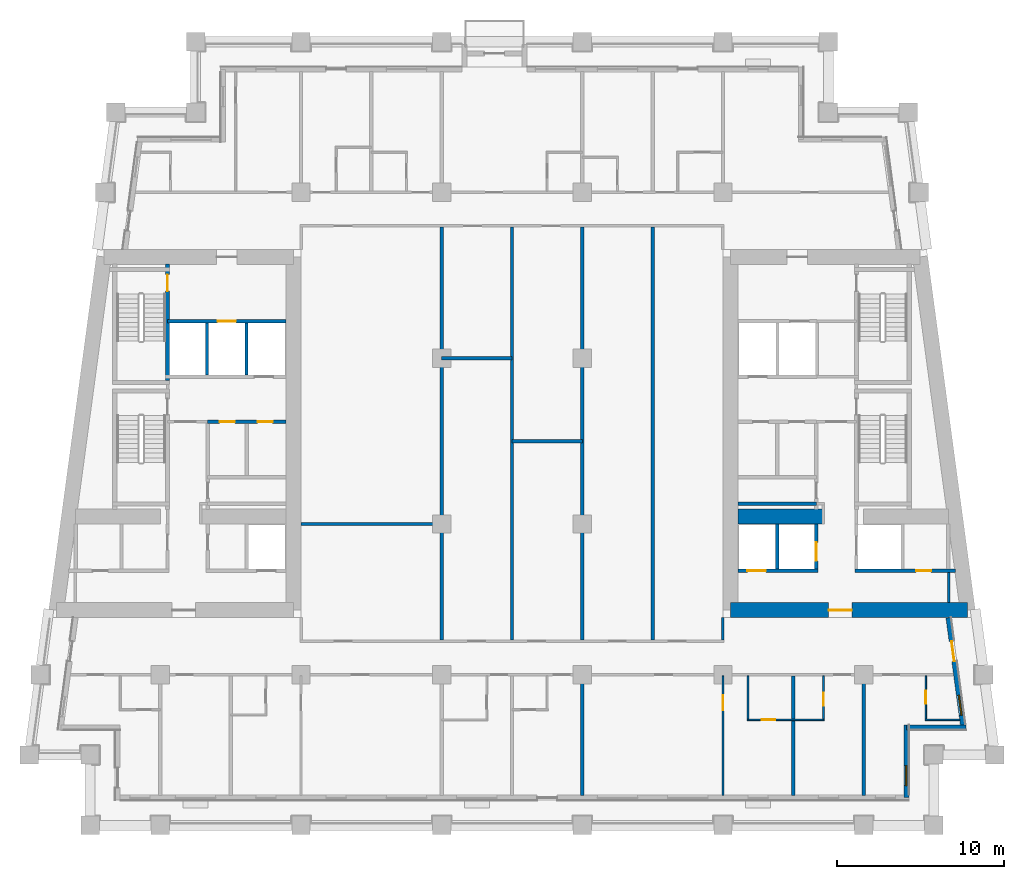
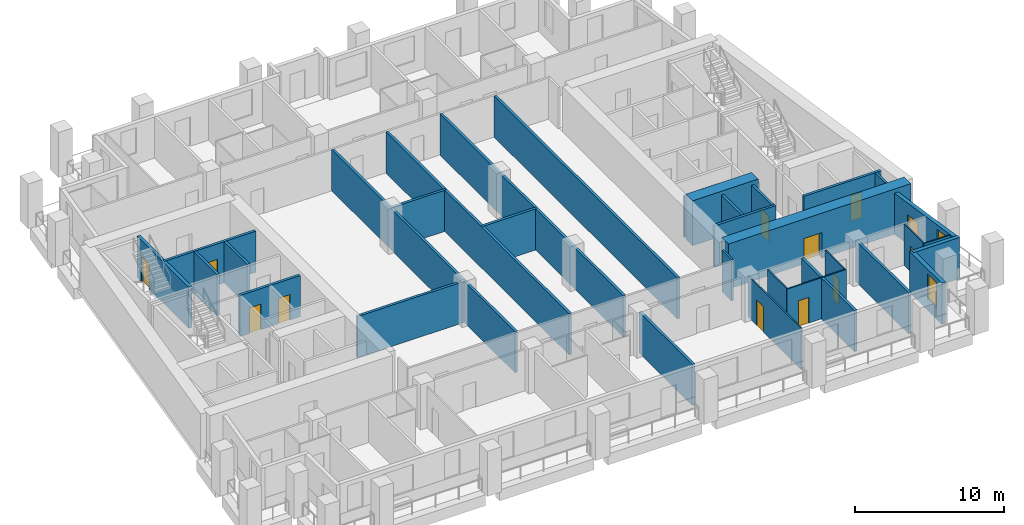
# One storey, part 4 of 12: 33 walls, 13 doors, 2 windows, 15 openings.
"""IFC4 building model written with IfcOpenShell, lengths in metres."""

from ifc_helpers import new_model, si_unit, direction, frame, frame_2d, origin, place, context, subcontext, project, spatial, rectangle, extrude, material, layer, layer_set, type_object, element, fill, save


model = new_model("IFC4")

# Units and contexts
model_context = context("Model", 3, precision=1e-05, world=origin(), true_north=direction((0.0, 1.0)))
body_context = subcontext(model_context, "Body", "Model", "MODEL_VIEW")
ifc_project = project(units=[si_unit("LENGTHUNIT", "METRE"), si_unit("AREAUNIT", "SQUARE_METRE"), si_unit("VOLUMEUNIT", "CUBIC_METRE"), si_unit("PLANEANGLEUNIT", "RADIAN"), si_unit("MASSUNIT", "GRAM", prefix="KILO")], contexts=[model_context])

# Site, building, storey
site_placement = place(None, origin())
site = spatial("IfcSite", under=ifc_project, at=site_placement, CompositionType="ELEMENT")
building_placement = place(site_placement, origin())
building = spatial("IfcBuilding", under=site, at=building_placement, Name="Candeia Pilgrim Tower and Theatre", CompositionType="ELEMENT")
storey_placement = place(building_placement, frame((0.0, 0.0, 162.60009765625)))
storey = spatial("IfcBuildingStorey", under=building, at=storey_placement, Name="L38", CompositionType="ELEMENT", Elevation=162.60009765625)

# Wall, opening, door
ifc_material_1 = material(Name="Concrete C60/75", Category="concrete")
ifc_layer_1 = layer(ifc_material_1, 0.89990234375)
ifc_layer_set_1 = layer_set([ifc_layer_1], Name="Core wall 900 C60/75")
wall_type_1 = type_object("IfcWallType", Name="Core wall 900 C60/75", PredefinedType="SHEAR", material=ifc_layer_set_1)
wall_1_placement = place(storey_placement, frame((140.6162109375, 110.85009765625, 0.0), z_axis=(0.0, 0.0, 1.0), x_axis=(-1.0, 0.0, 0.0)))
wall_1 = element("IfcWall", 1, at=wall_1_placement, inside=storey, type_object=wall_type_1, Name="Core wall E3", PredefinedType="SHEAR", context=body_context, shape_type="SweptSolid", body=[
    extrude(rectangle(XDim=14.166259765625, YDim=0.89990234375, at=frame_2d((7.0830078125, 0.0))), origin(), (0.0, 0.0, 1.0), 3.699951171875),
])
opening_1_placement = place(wall_1_placement, frame((6.911376953125, 0.0, 0.0)))
opening_1 = element("IfcOpeningElement", 2, at=opening_1_placement, cuts=wall_1, Name="Opening L38-D058", PredefinedType="OPENING", context=body_context, shape_type="SweptSolid", body=[
    extrude(rectangle(XDim=1.39990234375, YDim=2.10009765625, at=frame_2d((0.699951171875, 1.050048828125))), frame((0.0, 0.4599609375, 0.0), z_axis=(0.0, -1.0, 0.0), x_axis=(1.0, 0.0, 0.0)), (0.0, 0.0, 1.0), 0.919921875),
])
ifc_material_2 = material(Name="Steel fire door set", Category="steel")
door_type_1 = type_object("IfcDoorType", Name="D-1400-FD60", OperationType="NOTDEFINED", PredefinedType="DOOR", material=ifc_material_2)
door_1_placement = place(opening_1_placement, origin())
door_1 = element("IfcDoor", 3, at=door_1_placement, inside=storey, type_object=door_type_1, Name="Door L38-D058", OperationType="SINGLE_SWING_RIGHT", OverallHeight=2.10009765625, OverallWidth=1.39990234375, PredefinedType="DOOR", context=body_context, shape_type="SweptSolid", body=[
    extrude(rectangle(XDim=1.39990234375, YDim=2.10009765625, at=frame_2d((0.699951171875, 1.050048828125))), frame((0.0, 0.02490234375, 0.0), z_axis=(0.0, -1.0, 0.0), x_axis=(1.0, 0.0, 0.0)), (0.0, 0.0, 1.0), 0.050048828125),
])
fill(opening_1, door_1)

# Wall
wall_2_placement = place(storey_placement, frame((126.89990234375, 116.449951171875, 0.0), z_axis=(0.0, 0.0, 1.0), x_axis=(1.0, 0.0, 0.0)))
element("IfcWall", 4, at=wall_2_placement, inside=storey, type_object=wall_type_1, Name="Core wall E5", PredefinedType="SHEAR", context=body_context, shape_type="SweptSolid", body=[
    extrude(rectangle(XDim=5.10009765625, YDim=0.89990234375, at=frame_2d((2.550048828125, 0.0))), origin(), (0.0, 0.0, 1.0), 3.699951171875),
])

# Wall, opening, window
ifc_material_3 = material(Name="Ceramic block masonry", Category="masonry")
ifc_layer_2 = layer(ifc_material_3, 0.300048828125)
ifc_layer_set_2 = layer_set([ifc_layer_2], Name="EW1 glazing-line wall 300")
wall_type_2 = type_object("IfcWallType", Name="EW1 glazing-line wall 300", PredefinedType="SOLIDWALL", material=ifc_layer_set_2)
wall_3_placement = place(storey_placement, frame((136.949951171875, 99.64990234375, 0.0), z_axis=(0.0, 0.0, 1.0), x_axis=(0.0, 1.0, 0.0)))
wall_3 = element("IfcWall", 5, at=wall_3_placement, inside=storey, type_object=wall_type_2, Name="External wall L38-1.0", PredefinedType="SOLIDWALL", context=body_context, shape_type="SweptSolid", body=[
    extrude(rectangle(XDim=4.35009765625, YDim=0.300048828125, at=frame_2d((2.175048828125, 0.0))), origin(), (0.0, 0.0, 1.0), 3.3798828125),
])
opening_2_placement = place(wall_3_placement, frame((0.72509765625, 0.0, 0.89990234375)))
opening_2 = element("IfcOpeningElement", 6, at=opening_2_placement, cuts=wall_3, Name="Opening W-B", PredefinedType="OPENING", context=body_context, shape_type="SweptSolid", body=[
    extrude(rectangle(XDim=1.199951171875, YDim=2.10009765625, at=frame_2d((0.60009765625, 1.050048828125))), frame((0.0, 0.16015625, 0.0), z_axis=(0.0, -1.0, 0.0), x_axis=(1.0, 0.0, 0.0)), (0.0, 0.0, 1.0), 0.320068359375),
])
ifc_material_4 = material(Name="Aluminium framed double glazing", Category="aluminium")
window_type = type_object("IfcWindowType", Name="W-B window 1200x2100", PartitioningType="SINGLE_PANEL", PredefinedType="WINDOW", material=ifc_material_4)
window_1_placement = place(opening_2_placement, origin())
window_1 = element("IfcWindow", 7, at=window_1_placement, inside=storey, type_object=window_type, Name="Window W-B L38", OverallHeight=2.10009765625, OverallWidth=1.199951171875, PartitioningType="SINGLE_PANEL", PredefinedType="WINDOW", context=body_context, shape_type="SweptSolid", body=[
    extrude(rectangle(XDim=1.199951171875, YDim=2.10009765625, at=frame_2d((0.60009765625, 1.050048828125))), frame((0.0, 0.030029296875, 0.0), z_axis=(0.0, -1.0, 0.0), x_axis=(1.0, 0.0, 0.0)), (0.0, 0.0, 1.0), 0.06005859375),
])
fill(opening_2, window_1)

# Wall
wall_4_placement = place(storey_placement, frame((136.949951171875, 103.85009765625, 0.0), z_axis=(0.0, 0.0, 1.0), x_axis=(1.0, 0.0, 0.0)))
element("IfcWall", 8, at=wall_4_placement, inside=storey, type_object=wall_type_2, Name="External wall L38-2.0", PredefinedType="SOLIDWALL", context=body_context, shape_type="SweptSolid", body=[
    extrude(rectangle(XDim=3.569091796875, YDim=0.300048828125, at=frame_2d((1.78466796875, 0.0))), origin(), (0.0, 0.0, 1.0), 3.3798828125),
])

# Wall, openings, door, window
wall_5_placement = place(storey_placement, frame((140.34765625, 103.85009765625, 0.0), z_axis=(0.0, 0.0, 1.0), x_axis=(-0.133431549479, 0.991058031401, 0.0)))
wall_5 = element("IfcWall", 9, at=wall_5_placement, inside=storey, type_object=wall_type_2, Name="External wall L38-3.0", PredefinedType="SOLIDWALL", context=body_context, shape_type="SweptSolid", body=[
    extrude(rectangle(XDim=6.60888671875, YDim=0.300048828125, at=frame_2d((3.304443359375, 0.0))), origin(), (0.0, 0.0, 1.0), 3.3798828125),
])
opening_3_placement = place(wall_5_placement, frame((0.736572265625, 0.0, 0.89990234375)))
opening_3 = element("IfcOpeningElement", 10, at=opening_3_placement, cuts=wall_5, Name="Opening W-B", PredefinedType="OPENING", context=body_context, shape_type="SweptSolid", body=[
    extrude(rectangle(XDim=1.199951171875, YDim=2.10009765625, at=frame_2d((0.60009765625, 1.050048828125))), frame((0.0, 0.16015625, 0.0), z_axis=(0.0, -1.0, 0.0), x_axis=(1.0, 0.0, 0.0)), (0.0, 0.0, 1.0), 0.320068359375),
])
opening_4_placement = place(wall_5_placement, frame((3.990966796875, 0.0, 0.0)))
opening_4 = element("IfcOpeningElement", 11, at=opening_4_placement, cuts=wall_5, Name="Opening L38-ED365", PredefinedType="OPENING", context=body_context, shape_type="SweptSolid", body=[
    extrude(rectangle(XDim=1.199951171875, YDim=2.39990234375, at=frame_2d((0.60009765625, 1.199951171875))), frame((0.0, 0.16015625, 0.0), z_axis=(0.0, -1.0, 0.0), x_axis=(1.0, 0.0, 0.0)), (0.0, 0.0, 1.0), 0.320068359375),
])
ifc_material_5 = material(Name="Aluminium framed glazed door", Category="aluminium")
door_type_2 = type_object("IfcDoorType", Name="Loggia door 1200x2400", OperationType="DOUBLE_DOOR_SINGLE_SWING", PredefinedType="DOOR", material=ifc_material_5)
door_2_placement = place(opening_4_placement, origin())
door_2 = element("IfcDoor", 12, at=door_2_placement, inside=storey, type_object=door_type_2, Name="Loggia door L38-ED365", OperationType="DOUBLE_DOOR_SINGLE_SWING", OverallHeight=2.39990234375, OverallWidth=1.199951171875, PredefinedType="DOOR", context=body_context, shape_type="SweptSolid", body=[
    extrude(rectangle(XDim=1.199951171875, YDim=2.39990234375, at=frame_2d((0.60009765625, 1.199951171875))), frame((0.0, 0.02490234375, 0.0), z_axis=(0.0, -1.0, 0.0), x_axis=(1.0, 0.0, 0.0)), (0.0, 0.0, 1.0), 0.050048828125),
])
fill(opening_4, door_2)
window_2_placement = place(opening_3_placement, origin())
window_2 = element("IfcWindow", 13, at=window_2_placement, inside=storey, type_object=window_type, Name="Window W-B L38", OverallHeight=2.10009765625, OverallWidth=1.199951171875, PartitioningType="SINGLE_PANEL", PredefinedType="WINDOW", context=body_context, shape_type="SweptSolid", body=[
    extrude(rectangle(XDim=1.199951171875, YDim=2.10009765625, at=frame_2d((0.60009765625, 1.050048828125))), frame((0.0, 0.030029296875, 0.0), z_axis=(0.0, -1.0, 0.0), x_axis=(1.0, 0.0, 0.0)), (0.0, 0.0, 1.0), 0.06005859375),
])
fill(opening_3, window_2)

# Wall, opening, door
ifc_material_6 = material(Name="Gypsum board partition on steel studs", Category="steel")
ifc_layer_3 = layer(ifc_material_6, 0.10009765625)
ifc_layer_set_3 = layer_set([ifc_layer_3], Name="PW-100 room partition")
wall_type_3 = type_object("IfcWallType", Name="PW-100 room partition", PredefinedType="PARTITIONING", material=ifc_layer_set_3)
wall_6_placement = place(storey_placement, frame((127.449951171875, 104.300048828125, 0.0), z_axis=(0.0, 0.0, 1.0), x_axis=(1.0, 0.0, 0.0)))
wall_6 = element("IfcWall", 14, at=wall_6_placement, inside=storey, type_object=wall_type_3, Name="Room partition L38-002", PredefinedType="PARTITIONING", context=body_context, shape_type="SweptSolid", body=[
    extrude(rectangle(XDim=4.60009765625, YDim=0.10009765625, at=frame_2d((2.300048828125, 0.0))), origin(), (0.0, 0.0, 1.0), 3.3798828125),
])
opening_5_placement = place(wall_6_placement, frame((0.8798828125, 0.0, 0.0)))
opening_5 = element("IfcOpeningElement", 15, at=opening_5_placement, cuts=wall_6, Name="Opening L38-D029", PredefinedType="OPENING", context=body_context, shape_type="SweptSolid", body=[
    extrude(rectangle(XDim=0.800048828125, YDim=2.10009765625, at=frame_2d((0.39990234375, 1.050048828125))), frame((0.0, 0.06005859375, 0.0), z_axis=(0.0, -1.0, 0.0), x_axis=(1.0, 0.0, 0.0)), (0.0, 0.0, 1.0), 0.1201171875),
])
ifc_material_7 = material(Name="Timber door leaf", Category="wood")
door_type_3 = type_object("IfcDoorType", Name="D-800", OperationType="NOTDEFINED", PredefinedType="DOOR", material=ifc_material_7)
door_3_placement = place(opening_5_placement, origin())
door_3 = element("IfcDoor", 16, at=door_3_placement, inside=storey, type_object=door_type_3, Name="Door L38-D029", OperationType="SINGLE_SWING_LEFT", OverallHeight=2.10009765625, OverallWidth=0.800048828125, PredefinedType="DOOR", context=body_context, shape_type="SweptSolid", body=[
    extrude(rectangle(XDim=0.800048828125, YDim=2.10009765625, at=frame_2d((0.39990234375, 1.050048828125))), frame((0.0, 0.02490234375, 0.0), z_axis=(0.0, -1.0, 0.0), x_axis=(1.0, 0.0, 0.0)), (0.0, 0.0, 1.0), 0.050048828125),
])
fill(opening_5, door_3)

# Wall
wall_7_placement = place(storey_placement, frame((138.070068359375, 104.300048828125, 0.0), z_axis=(0.0, 0.0, 1.0), x_axis=(1.0, 0.0, 0.0)))
element("IfcWall", 17, at=wall_7_placement, inside=storey, type_object=wall_type_3, Name="Room partition L38-003", PredefinedType="PARTITIONING", context=body_context, shape_type="SweptSolid", body=[
    extrude(rectangle(XDim=2.07568359375, YDim=0.10009765625, at=frame_2d((1.037841796875, 0.0))), origin(), (0.0, 0.0, 1.0), 3.3798828125),
])

# Wall, opening, door
wall_8_placement = place(storey_placement, frame((126.0, 99.7900390625, 0.0), z_axis=(0.0, 0.0, 1.0), x_axis=(0.0, 1.0, 0.0)))
wall_8 = element("IfcWall", 18, at=wall_8_placement, inside=storey, type_object=wall_type_3, Name="Room partition L38-093", PredefinedType="PARTITIONING", context=body_context, shape_type="SweptSolid", body=[
    extrude(rectangle(XDim=7.135009765625, YDim=0.10009765625, at=frame_2d((3.5673828125, 0.0))), origin(), (0.0, 0.0, 1.0), 3.3798828125),
])
opening_6_placement = place(wall_8_placement, frame((5.074951171875, 0.0, 0.0)))
opening_6 = element("IfcOpeningElement", 19, at=opening_6_placement, cuts=wall_8, Name="Opening L38-D028", PredefinedType="OPENING", context=body_context, shape_type="SweptSolid", body=[
    extrude(rectangle(XDim=0.89990234375, YDim=2.10009765625, at=frame_2d((0.449951171875, 1.050048828125))), frame((0.0, 0.06005859375, 0.0), z_axis=(0.0, -1.0, 0.0), x_axis=(1.0, 0.0, 0.0)), (0.0, 0.0, 1.0), 0.1201171875),
])
door_type_4 = type_object("IfcDoorType", Name="D-900", OperationType="NOTDEFINED", PredefinedType="DOOR", material=ifc_material_7)
door_4_placement = place(opening_6_placement, origin())
door_4 = element("IfcDoor", 20, at=door_4_placement, inside=storey, type_object=door_type_4, Name="Door L38-D028", OperationType="SINGLE_SWING_RIGHT", OverallHeight=2.10009765625, OverallWidth=0.89990234375, PredefinedType="DOOR", context=body_context, shape_type="SweptSolid", body=[
    extrude(rectangle(XDim=0.89990234375, YDim=2.10009765625, at=frame_2d((0.449951171875, 1.050048828125))), frame((0.0, 0.02490234375, 0.0), z_axis=(0.0, -1.0, 0.0), x_axis=(1.0, 0.0, 0.0)), (0.0, 0.0, 1.0), 0.050048828125),
])
fill(opening_6, door_4)

# Wall
wall_9_placement = place(storey_placement, frame((127.5, 104.35009765625, 0.0), z_axis=(0.0, 0.0, 1.0), x_axis=(0.0, 1.0, 0.0)))
element("IfcWall", 21, at=wall_9_placement, inside=storey, type_object=wall_type_3, Name="Room partition L38-097", PredefinedType="PARTITIONING", context=body_context, shape_type="SweptSolid", body=[
    extrude(rectangle(XDim=2.574951171875, YDim=0.10009765625, at=frame_2d((1.28759765625, 0.0))), origin(), (0.0, 0.0, 1.0), 3.3798828125),
])

# Wall, opening, door
wall_10_placement = place(storey_placement, frame((132.0, 104.35009765625, 0.0), z_axis=(0.0, 0.0, 1.0), x_axis=(0.0, 1.0, 0.0)))
wall_10 = element("IfcWall", 22, at=wall_10_placement, inside=storey, type_object=wall_type_3, Name="Room partition L38-105", PredefinedType="PARTITIONING", context=body_context, shape_type="SweptSolid", body=[
    extrude(rectangle(XDim=2.574951171875, YDim=0.10009765625, at=frame_2d((1.28759765625, 0.0))), origin(), (0.0, 0.0, 1.0), 3.3798828125),
])
opening_7_placement = place(wall_10_placement, frame((0.780029296875, 0.0, 0.0)))
opening_7 = element("IfcOpeningElement", 23, at=opening_7_placement, cuts=wall_10, Name="Opening L38-D031", PredefinedType="OPENING", context=body_context, shape_type="SweptSolid", body=[
    extrude(rectangle(XDim=0.800048828125, YDim=2.10009765625, at=frame_2d((0.39990234375, 1.050048828125))), frame((0.0, 0.06005859375, 0.0), z_axis=(0.0, -1.0, 0.0), x_axis=(1.0, 0.0, 0.0)), (0.0, 0.0, 1.0), 0.1201171875),
])
door_5_placement = place(opening_7_placement, origin())
door_5 = element("IfcDoor", 24, at=door_5_placement, inside=storey, type_object=door_type_3, Name="Door L38-D031", OperationType="SINGLE_SWING_LEFT", OverallHeight=2.10009765625, OverallWidth=0.800048828125, PredefinedType="DOOR", context=body_context, shape_type="SweptSolid", body=[
    extrude(rectangle(XDim=0.800048828125, YDim=2.10009765625, at=frame_2d((0.39990234375, 1.050048828125))), frame((0.0, 0.02490234375, 0.0), z_axis=(0.0, -1.0, 0.0), x_axis=(1.0, 0.0, 0.0)), (0.0, 0.0, 1.0), 0.050048828125),
])
fill(opening_7, door_5)

wall_11_placement = place(storey_placement, frame((138.1201171875, 104.35009765625, 0.0), z_axis=(0.0, 0.0, 1.0), x_axis=(0.0, 1.0, 0.0)))
wall_11 = element("IfcWall", 25, at=wall_11_placement, inside=storey, type_object=wall_type_3, Name="Room partition L38-116", PredefinedType="PARTITIONING", context=body_context, shape_type="SweptSolid", body=[
    extrude(rectangle(XDim=2.574951171875, YDim=0.10009765625, at=frame_2d((1.28759765625, 0.0))), origin(), (0.0, 0.0, 1.0), 3.3798828125),
])
opening_8_placement = place(wall_11_placement, frame((0.89990234375, 0.0, 0.0)))
opening_8 = element("IfcOpeningElement", 26, at=opening_8_placement, cuts=wall_11, Name="Opening L38-D033", PredefinedType="OPENING", context=body_context, shape_type="SweptSolid", body=[
    extrude(rectangle(XDim=0.800048828125, YDim=2.10009765625, at=frame_2d((0.39990234375, 1.050048828125))), frame((0.0, 0.06005859375, 0.0), z_axis=(0.0, -1.0, 0.0), x_axis=(1.0, 0.0, 0.0)), (0.0, 0.0, 1.0), 0.1201171875),
])
door_6_placement = place(opening_8_placement, origin())
door_6 = element("IfcDoor", 27, at=door_6_placement, inside=storey, type_object=door_type_3, Name="Door L38-D033", OperationType="SINGLE_SWING_LEFT", OverallHeight=2.10009765625, OverallWidth=0.800048828125, PredefinedType="DOOR", context=body_context, shape_type="SweptSolid", body=[
    extrude(rectangle(XDim=0.800048828125, YDim=2.10009765625, at=frame_2d((0.39990234375, 1.050048828125))), frame((0.0, 0.02490234375, 0.0), z_axis=(0.0, -1.0, 0.0), x_axis=(1.0, 0.0, 0.0)), (0.0, 0.0, 1.0), 0.050048828125),
])
fill(opening_8, door_6)

# Walls
ifc_layer_4 = layer(ifc_material_6, 0.14990234375)
ifc_layer_set_4 = layer_set([ifc_layer_4], Name="PW-150 lobby wall")
wall_type_4 = type_object("IfcWallType", Name="PW-150 lobby wall", PredefinedType="PARTITIONING", material=ifc_layer_set_4)
wall_12_placement = place(storey_placement, frame((139.471923828125, 111.300048828125, 0.0), z_axis=(0.0, 0.0, 1.0), x_axis=(0.0, 1.0, 0.0)))
element("IfcWall", 28, at=wall_12_placement, inside=storey, type_object=wall_type_4, Name="Lobby wall L38-118", PredefinedType="PARTITIONING", context=body_context, shape_type="SweptSolid", body=[
    extrude(rectangle(XDim=1.800048828125, YDim=0.14990234375, at=frame_2d((0.89990234375, 0.0))), origin(), (0.0, 0.0, 1.0), 3.3798828125),
])
ifc_layer_5 = layer(ifc_material_6, 0.14990234375)
ifc_layer_set_5 = layer_set([ifc_layer_5], Name="PW-150 unit wall")
wall_type_5 = type_object("IfcWallType", Name="PW-150 unit wall", PredefinedType="PARTITIONING", material=ifc_layer_set_5)
wall_13_placement = place(storey_placement, frame((126.0, 109.074951171875, 0.0), z_axis=(0.0, 0.0, 1.0), x_axis=(0.0, 1.0, 0.0)))
element("IfcWall", 29, at=wall_13_placement, inside=storey, type_object=wall_type_5, Name="Unit wall L38-095", PredefinedType="PARTITIONING", context=body_context, shape_type="SweptSolid", body=[
    extrude(rectangle(XDim=1.324951171875, YDim=0.14990234375, at=frame_2d((0.66259765625, 0.0))), origin(), (0.0, 0.0, 1.0), 3.3798828125),
])
ifc_layer_6 = layer(ifc_material_6, 0.199951171875)
ifc_layer_set_6 = layer_set([ifc_layer_6], Name="PW-200 party wall")
wall_type_6 = type_object("IfcWallType", Name="PW-200 party wall", PredefinedType="PARTITIONING", material=ifc_layer_set_6)
wall_14_placement = place(storey_placement, frame((100.800048828125, 116.0, 0.0), z_axis=(0.0, 0.0, 1.0), x_axis=(1.0, 0.0, 0.0)))
element("IfcWall", 30, at=wall_14_placement, inside=storey, type_object=wall_type_6, Name="Party wall L38-013", PredefinedType="PARTITIONING", context=body_context, shape_type="SweptSolid", body=[
    extrude(rectangle(XDim=8.39990234375, YDim=0.199951171875, at=frame_2d((4.199951171875, 0.0))), origin(), (0.0, 0.0, 1.0), 3.3798828125),
])
wall_15_placement = place(storey_placement, frame((113.39990234375, 120.949951171875, 0.0), z_axis=(0.0, 0.0, 1.0), x_axis=(1.0, 0.0, 0.0)))
element("IfcWall", 31, at=wall_15_placement, inside=storey, type_object=wall_type_6, Name="Party wall L38-022", PredefinedType="PARTITIONING", context=body_context, shape_type="SweptSolid", body=[
    extrude(rectangle(XDim=4.2001953125, YDim=0.199951171875, at=frame_2d((2.10009765625, 0.0))), origin(), (0.0, 0.0, 1.0), 3.3798828125),
])
wall_16_placement = place(storey_placement, frame((109.199951171875, 125.89990234375, 0.0), z_axis=(0.0, 0.0, 1.0), x_axis=(1.0, 0.0, 0.0)))
element("IfcWall", 32, at=wall_16_placement, inside=storey, type_object=wall_type_6, Name="Party wall L38-034", PredefinedType="PARTITIONING", context=body_context, shape_type="SweptSolid", body=[
    extrude(rectangle(XDim=4.199951171875, YDim=0.199951171875, at=frame_2d((2.10009765625, 0.0))), origin(), (0.0, 0.0, 1.0), 3.3798828125),
])
for number, where, z_axis, x_axis, name in (
    (33, (109.199951171875, 109.074951171875, 0.0), (0.0, 0.0, 1.0), (0.0, 1.0, 0.0), "Party wall L38-079"),
    (34, (113.39990234375, 109.074951171875, 0.0), (0.0, 0.0, 1.0), (0.0, 1.0, 0.0), "Party wall L38-083"),
):
    element("IfcWall", number, at=place(storey_placement, frame(where, z_axis=z_axis, x_axis=x_axis)), inside=storey, type_object=wall_type_6, Name=name, PredefinedType="PARTITIONING", context=body_context, shape_type="SweptSolid", body=[
        extrude(rectangle(XDim=24.650146484375, YDim=0.199951171875, at=frame_2d((12.3251953125, 0.0))), origin(), (0.0, 0.0, 1.0), 3.3798828125),
    ])
wall_17_placement = place(storey_placement, frame((117.60009765625, 99.7900390625, 0.0), z_axis=(0.0, 0.0, 1.0), x_axis=(0.0, 1.0, 0.0)))
element("IfcWall", 35, at=wall_17_placement, inside=storey, type_object=wall_type_6, Name="Party wall L38-086", PredefinedType="PARTITIONING", context=body_context, shape_type="SweptSolid", body=[
    extrude(rectangle(XDim=7.135009765625, YDim=0.199951171875, at=frame_2d((3.5673828125, 0.0))), origin(), (0.0, 0.0, 1.0), 3.3798828125),
])
for number, where, z_axis, x_axis, name in (
    (36, (117.60009765625, 109.074951171875, 0.0), (0.0, 0.0, 1.0), (0.0, 1.0, 0.0), "Party wall L38-087"),
    (37, (121.800048828125, 109.074951171875, 0.0), (0.0, 0.0, 1.0), (0.0, 1.0, 0.0), "Party wall L38-090"),
):
    element("IfcWall", number, at=place(storey_placement, frame(where, z_axis=z_axis, x_axis=x_axis)), inside=storey, type_object=wall_type_6, Name=name, PredefinedType="PARTITIONING", context=body_context, shape_type="SweptSolid", body=[
        extrude(rectangle(XDim=24.650146484375, YDim=0.199951171875, at=frame_2d((12.3251953125, 0.0))), origin(), (0.0, 0.0, 1.0), 3.3798828125),
    ])
for number, where, z_axis, x_axis, name in (
    (38, (130.199951171875, 99.7900390625, 0.0), (0.0, 0.0, 1.0), (0.0, 1.0, 0.0), "Party wall L38-101"),
    (39, (134.39990234375, 99.7900390625, 0.0), (0.0, 0.0, 1.0), (0.0, 1.0, 0.0), "Party wall L38-112"),
):
    element("IfcWall", number, at=place(storey_placement, frame(where, z_axis=z_axis, x_axis=x_axis)), inside=storey, type_object=wall_type_6, Name=name, PredefinedType="PARTITIONING", context=body_context, shape_type="SweptSolid", body=[
        extrude(rectangle(XDim=7.135009765625, YDim=0.199951171875, at=frame_2d((3.5673828125, 0.0))), origin(), (0.0, 0.0, 1.0), 3.3798828125),
    ])

# Wall, opening, door
ifc_material_8 = material(Name="Concrete C40/50", Category="concrete")
ifc_layer_7 = layer(ifc_material_8, 0.199951171875)
ifc_layer_set_7 = layer_set([ifc_layer_7], Name="SW-200 shaft wall")
wall_type_7 = type_object("IfcWallType", Name="SW-200 shaft wall", PredefinedType="PARTITIONING", material=ifc_layer_set_7)
wall_18_placement = place(storey_placement, frame((126.89990234375, 113.199951171875, 0.0), z_axis=(0.0, 0.0, 1.0), x_axis=(1.0, 0.0, 0.0)))
wall_18 = element("IfcWall", 40, at=wall_18_placement, inside=storey, type_object=wall_type_7, Name="Shaft wall L38-011", PredefinedType="PARTITIONING", context=body_context, shape_type="SweptSolid", body=[
    extrude(rectangle(XDim=4.773193359375, YDim=0.199951171875, at=frame_2d((2.38671875, 0.0))), origin(), (0.0, 0.0, 1.0), 3.3798828125),
])
opening_9_placement = place(wall_18_placement, frame((0.56494140625, 0.0, 0.0)))
opening_9 = element("IfcOpeningElement", 41, at=opening_9_placement, cuts=wall_18, Name="Opening L38-LD08", PredefinedType="OPENING", context=body_context, shape_type="SweptSolid", body=[
    extrude(rectangle(XDim=1.10009765625, YDim=2.10009765625, at=frame_2d((0.550048828125, 1.050048828125))), frame((0.0, 0.10986328125, 0.0), z_axis=(0.0, -1.0, 0.0), x_axis=(1.0, 0.0, 0.0)), (0.0, 0.0, 1.0), 0.219970703125),
])
ifc_material_9 = material(Name="Glazed aluminium landing door", Category="aluminium")
door_type_5 = type_object("IfcDoorType", Name="LD-1100-EI120", OperationType="SLIDING_TO_LEFT", PredefinedType="DOOR", material=ifc_material_9)
door_7_placement = place(opening_9_placement, origin())
door_7 = element("IfcDoor", 42, at=door_7_placement, inside=storey, type_object=door_type_5, Name="Landing door 08 L38", OperationType="SLIDING_TO_LEFT", OverallHeight=2.10009765625, OverallWidth=1.10009765625, PredefinedType="DOOR", context=body_context, shape_type="SweptSolid", body=[
    extrude(rectangle(XDim=1.10009765625, YDim=2.10009765625, at=frame_2d((0.550048828125, 1.050048828125))), frame((0.0, 0.02490234375, 0.0), z_axis=(0.0, -1.0, 0.0), x_axis=(1.0, 0.0, 0.0)), (0.0, 0.0, 1.0), 0.050048828125),
])
fill(opening_9, door_7)

wall_19_placement = place(storey_placement, frame((133.873046875, 113.199951171875, 0.0), z_axis=(0.0, 0.0, 1.0), x_axis=(1.0, 0.0, 0.0)))
wall_19 = element("IfcWall", 43, at=wall_19_placement, inside=storey, type_object=wall_type_7, Name="Shaft wall L38-012", PredefinedType="PARTITIONING", context=body_context, shape_type="SweptSolid", body=[
    extrude(rectangle(XDim=6.002685546875, YDim=0.199951171875, at=frame_2d((3.00146484375, 0.0))), origin(), (0.0, 0.0, 1.0), 3.3798828125),
])
opening_10_placement = place(wall_19_placement, frame((3.658935546875, 0.0, 0.0)))
opening_10 = element("IfcOpeningElement", 44, at=opening_10_placement, cuts=wall_19, Name="Opening L38-D016", PredefinedType="OPENING", context=body_context, shape_type="SweptSolid", body=[
    extrude(rectangle(XDim=0.89990234375, YDim=2.10009765625, at=frame_2d((0.449951171875, 1.050048828125))), frame((0.0, 0.10986328125, 0.0), z_axis=(0.0, -1.0, 0.0), x_axis=(1.0, 0.0, 0.0)), (0.0, 0.0, 1.0), 0.219970703125),
])
door_type_6 = type_object("IfcDoorType", Name="D-900-FD60", OperationType="NOTDEFINED", PredefinedType="DOOR", material=ifc_material_2)
door_8_placement = place(opening_10_placement, origin())
door_8 = element("IfcDoor", 45, at=door_8_placement, inside=storey, type_object=door_type_6, Name="Door L38-D016", OperationType="SINGLE_SWING_RIGHT", OverallHeight=2.10009765625, OverallWidth=0.89990234375, PredefinedType="DOOR", context=body_context, shape_type="SweptSolid", body=[
    extrude(rectangle(XDim=0.89990234375, YDim=2.10009765625, at=frame_2d((0.449951171875, 1.050048828125))), frame((0.0, 0.02490234375, 0.0), z_axis=(0.0, -1.0, 0.0), x_axis=(1.0, 0.0, 0.0)), (0.0, 0.0, 1.0), 0.050048828125),
])
fill(opening_10, door_8)

# Wall
wall_20_placement = place(storey_placement, frame((126.89990234375, 117.199951171875, 0.0), z_axis=(0.0, 0.0, 1.0), x_axis=(1.0, 0.0, 0.0)))
element("IfcWall", 46, at=wall_20_placement, inside=storey, type_object=wall_type_7, Name="Shaft wall L38-015", PredefinedType="PARTITIONING", context=body_context, shape_type="SweptSolid", body=[
    extrude(rectangle(XDim=4.673095703125, YDim=0.199951171875, at=frame_2d((2.33642578125, 0.0))), origin(), (0.0, 0.0, 1.0), 3.3798828125),
])

# Wall, openings, doors
wall_21_placement = place(storey_placement, frame((95.22705078125, 122.10009765625, 0.0), z_axis=(0.0, 0.0, 1.0), x_axis=(1.0, 0.0, 0.0)))
wall_21 = element("IfcWall", 47, at=wall_21_placement, inside=storey, type_object=wall_type_7, Name="Shaft wall L38-023", PredefinedType="PARTITIONING", context=body_context, shape_type="SweptSolid", body=[
    extrude(rectangle(XDim=4.6728515625, YDim=0.199951171875, at=frame_2d((2.33642578125, 0.0))), origin(), (0.0, 0.0, 1.0), 3.3798828125),
])
opening_11_placement = place(wall_21_placement, frame((0.718017578125, 0.0, 0.0)))
opening_11 = element("IfcOpeningElement", 48, at=opening_11_placement, cuts=wall_21, Name="Opening L38-D002", PredefinedType="OPENING", context=body_context, shape_type="SweptSolid", body=[
    extrude(rectangle(XDim=0.89990234375, YDim=2.10009765625, at=frame_2d((0.449951171875, 1.050048828125))), frame((0.0, 0.10986328125, 0.0), z_axis=(0.0, -1.0, 0.0), x_axis=(1.0, 0.0, 0.0)), (0.0, 0.0, 1.0), 0.219970703125),
])
opening_12_placement = place(wall_21_placement, frame((2.98095703125, 0.0, 0.0)))
opening_12 = element("IfcOpeningElement", 49, at=opening_12_placement, cuts=wall_21, Name="Opening L38-D003", PredefinedType="OPENING", context=body_context, shape_type="SweptSolid", body=[
    extrude(rectangle(XDim=0.89990234375, YDim=2.10009765625, at=frame_2d((0.449951171875, 1.050048828125))), frame((0.0, 0.10986328125, 0.0), z_axis=(0.0, -1.0, 0.0), x_axis=(1.0, 0.0, 0.0)), (0.0, 0.0, 1.0), 0.219970703125),
])
door_9_placement = place(opening_11_placement, origin())
door_9 = element("IfcDoor", 50, at=door_9_placement, inside=storey, type_object=door_type_6, Name="Door L38-D002", OperationType="SINGLE_SWING_RIGHT", OverallHeight=2.10009765625, OverallWidth=0.89990234375, PredefinedType="DOOR", context=body_context, shape_type="SweptSolid", body=[
    extrude(rectangle(XDim=0.89990234375, YDim=2.10009765625, at=frame_2d((0.449951171875, 1.050048828125))), frame((0.0, 0.02490234375, 0.0), z_axis=(0.0, -1.0, 0.0), x_axis=(1.0, 0.0, 0.0)), (0.0, 0.0, 1.0), 0.050048828125),
])
fill(opening_11, door_9)
door_10_placement = place(opening_12_placement, origin())
door_10 = element("IfcDoor", 51, at=door_10_placement, inside=storey, type_object=door_type_6, Name="Door L38-D003", OperationType="SINGLE_SWING_LEFT", OverallHeight=2.10009765625, OverallWidth=0.89990234375, PredefinedType="DOOR", context=body_context, shape_type="SweptSolid", body=[
    extrude(rectangle(XDim=0.89990234375, YDim=2.10009765625, at=frame_2d((0.449951171875, 1.050048828125))), frame((0.0, 0.02490234375, 0.0), z_axis=(0.0, -1.0, 0.0), x_axis=(1.0, 0.0, 0.0)), (0.0, 0.0, 1.0), 0.050048828125),
])
fill(opening_12, door_10)

# Wall, opening, door
wall_22_placement = place(storey_placement, frame((92.826904296875, 128.10009765625, 0.0), z_axis=(0.0, 0.0, 1.0), x_axis=(1.0, 0.0, 0.0)))
wall_22 = element("IfcWall", 52, at=wall_22_placement, inside=storey, type_object=wall_type_7, Name="Shaft wall L38-035", PredefinedType="PARTITIONING", context=body_context, shape_type="SweptSolid", body=[
    extrude(rectangle(XDim=7.072998046875, YDim=0.199951171875, at=frame_2d((3.53662109375, 0.0))), origin(), (0.0, 0.0, 1.0), 3.3798828125),
])
opening_13_placement = place(wall_22_placement, frame((2.987060546875, 0.0, 0.0)))
opening_13 = element("IfcOpeningElement", 53, at=opening_13_placement, cuts=wall_22, Name="Opening L38-LD01", PredefinedType="OPENING", context=body_context, shape_type="SweptSolid", body=[
    extrude(rectangle(XDim=1.10009765625, YDim=2.10009765625, at=frame_2d((0.550048828125, 1.050048828125))), frame((0.0, 0.10986328125, 0.0), z_axis=(0.0, -1.0, 0.0), x_axis=(1.0, 0.0, 0.0)), (0.0, 0.0, 1.0), 0.219970703125),
])
door_11_placement = place(opening_13_placement, origin())
door_11 = element("IfcDoor", 54, at=door_11_placement, inside=storey, type_object=door_type_5, Name="Landing door 01 L38", OperationType="SLIDING_TO_LEFT", OverallHeight=2.10009765625, OverallWidth=1.10009765625, PredefinedType="DOOR", context=body_context, shape_type="SweptSolid", body=[
    extrude(rectangle(XDim=1.10009765625, YDim=2.10009765625, at=frame_2d((0.550048828125, 1.050048828125))), frame((0.0, 0.02490234375, 0.0), z_axis=(0.0, -1.0, 0.0), x_axis=(1.0, 0.0, 0.0)), (0.0, 0.0, 1.0), 0.050048828125),
])
fill(opening_13, door_11)

# Walls
for number, where, z_axis, x_axis, name in (
    (55, (95.184814453125, 124.89990234375, 0.0), (0.0, 0.0, 1.0), (0.0, 1.0, 0.0), "Shaft wall L38-062"),
    (56, (97.542236328125, 124.89990234375, 0.0), (0.0, 0.0, 1.0), (0.0, 1.0, 0.0), "Shaft wall L38-067"),
):
    element("IfcWall", number, at=place(storey_placement, frame(where, z_axis=z_axis, x_axis=x_axis)), inside=storey, type_object=wall_type_7, Name=name, PredefinedType="PARTITIONING", context=body_context, shape_type="SweptSolid", body=[
        extrude(rectangle(XDim=3.10009765625, YDim=0.199951171875, at=frame_2d((1.550048828125, 0.0))), origin(), (0.0, 0.0, 1.0), 3.3798828125),
    ])
wall_23_placement = place(storey_placement, frame((129.236572265625, 113.300048828125, 0.0), z_axis=(0.0, 0.0, 1.0), x_axis=(0.0, 1.0, 0.0)))
element("IfcWall", 57, at=wall_23_placement, inside=storey, type_object=wall_type_7, Name="Shaft wall L38-098", PredefinedType="PARTITIONING", context=body_context, shape_type="SweptSolid", body=[
    extrude(rectangle(XDim=2.699951171875, YDim=0.199951171875, at=frame_2d((1.35009765625, 0.0))), origin(), (0.0, 0.0, 1.0), 3.3798828125),
])

# Wall, opening, door
wall_24_placement = place(storey_placement, frame((131.572998046875, 113.300048828125, 0.0), z_axis=(0.0, 0.0, 1.0), x_axis=(0.0, 1.0, 0.0)))
wall_24 = element("IfcWall", 58, at=wall_24_placement, inside=storey, type_object=wall_type_7, Name="Shaft wall L38-102", PredefinedType="PARTITIONING", context=body_context, shape_type="SweptSolid", body=[
    extrude(rectangle(XDim=2.699951171875, YDim=0.199951171875, at=frame_2d((1.35009765625, 0.0))), origin(), (0.0, 0.0, 1.0), 3.3798828125),
])
opening_14_placement = place(wall_24_placement, frame((0.5, 0.0, 0.0)))
opening_14 = element("IfcOpeningElement", 59, at=opening_14_placement, cuts=wall_24, Name="Opening L38-LD07", PredefinedType="OPENING", context=body_context, shape_type="SweptSolid", body=[
    extrude(rectangle(XDim=1.10009765625, YDim=2.10009765625, at=frame_2d((0.550048828125, 1.050048828125))), frame((0.0, 0.10986328125, 0.0), z_axis=(0.0, -1.0, 0.0), x_axis=(1.0, 0.0, 0.0)), (0.0, 0.0, 1.0), 0.219970703125),
])
door_12_placement = place(opening_14_placement, origin())
door_12 = element("IfcDoor", 60, at=door_12_placement, inside=storey, type_object=door_type_5, Name="Landing door 07 L38", OperationType="SLIDING_TO_LEFT", OverallHeight=2.10009765625, OverallWidth=1.10009765625, PredefinedType="DOOR", context=body_context, shape_type="SweptSolid", body=[
    extrude(rectangle(XDim=1.10009765625, YDim=2.10009765625, at=frame_2d((0.550048828125, 1.050048828125))), frame((0.0, 0.02490234375, 0.0), z_axis=(0.0, -1.0, 0.0), x_axis=(1.0, 0.0, 0.0)), (0.0, 0.0, 1.0), 0.050048828125),
])
fill(opening_14, door_12)

ifc_layer_8 = layer(ifc_material_8, 0.25)
ifc_layer_set_8 = layer_set([ifc_layer_8], Name="SW-250 stair wall")
wall_type_8 = type_object("IfcWallType", Name="SW-250 stair wall", PredefinedType="PARTITIONING", material=ifc_layer_set_8)
wall_25_placement = place(storey_placement, frame((92.826904296875, 124.574951171875, 0.0), z_axis=(0.0, 0.0, 1.0), x_axis=(0.0, 1.0, 0.0)))
wall_25 = element("IfcWall", 61, at=wall_25_placement, inside=storey, type_object=wall_type_8, Name="Stair wall L38-059", PredefinedType="PARTITIONING", context=body_context, shape_type="SweptSolid", body=[
    extrude(rectangle(XDim=6.955078125, YDim=0.25, at=frame_2d((3.4775390625, 0.0))), origin(), (0.0, 0.0, 1.0), 3.3798828125),
])
opening_15_placement = place(wall_25_placement, frame((5.324951171875, 0.0, 0.0)))
opening_15 = element("IfcOpeningElement", 62, at=opening_15_placement, cuts=wall_25, Name="Opening L38-D005", PredefinedType="OPENING", context=body_context, shape_type="SweptSolid", body=[
    extrude(rectangle(XDim=1.0, YDim=2.10009765625, at=frame_2d((0.5, 1.050048828125))), frame((0.0, 0.135009765625, 0.0), z_axis=(0.0, -1.0, 0.0), x_axis=(1.0, 0.0, 0.0)), (0.0, 0.0, 1.0), 0.27001953125),
])
door_type_7 = type_object("IfcDoorType", Name="D-1000-FD60", OperationType="NOTDEFINED", PredefinedType="DOOR", material=ifc_material_2)
door_13_placement = place(opening_15_placement, origin())
door_13 = element("IfcDoor", 63, at=door_13_placement, inside=storey, type_object=door_type_7, Name="Door L38-D005", OperationType="SINGLE_SWING_LEFT", OverallHeight=2.10009765625, OverallWidth=1.0, PredefinedType="DOOR", context=body_context, shape_type="SweptSolid", body=[
    extrude(rectangle(XDim=1.0, YDim=2.10009765625, at=frame_2d((0.5, 1.050048828125))), frame((0.0, 0.02490234375, 0.0), z_axis=(0.0, -1.0, 0.0), x_axis=(1.0, 0.0, 0.0)), (0.0, 0.0, 1.0), 0.050048828125),
])
fill(opening_15, door_13)

save(model, "model.ifc")
